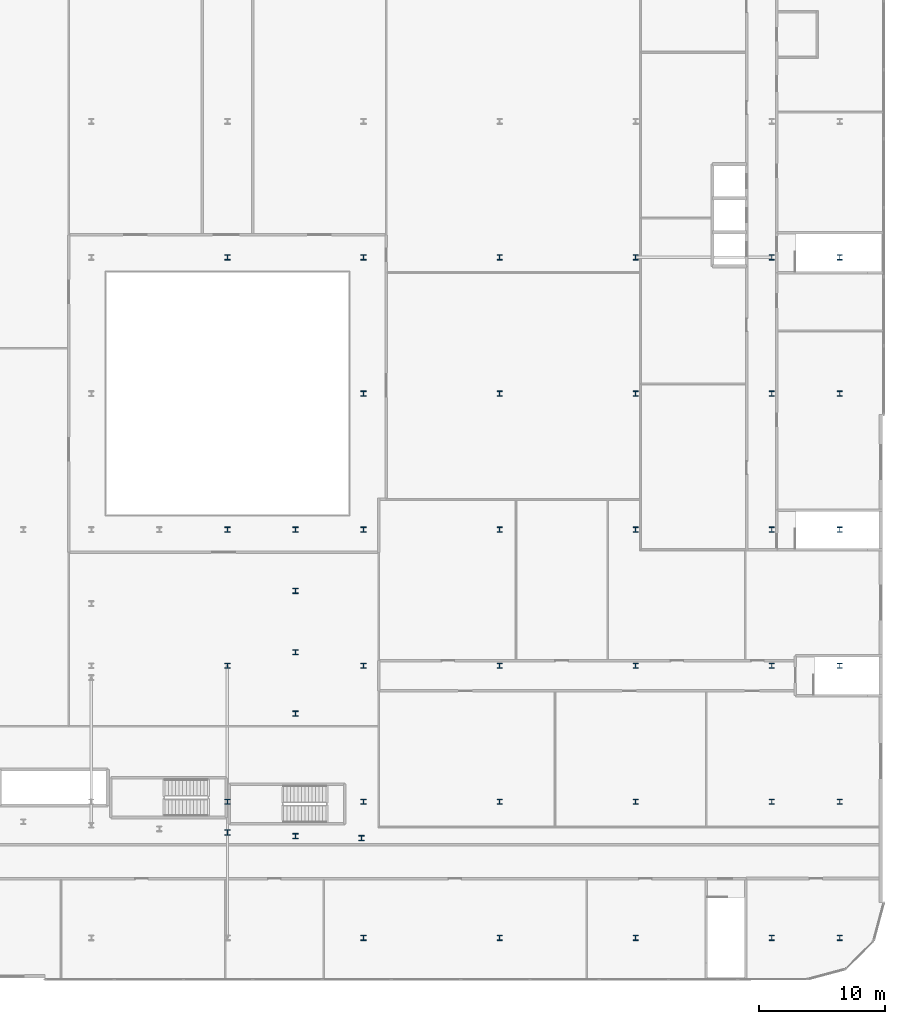
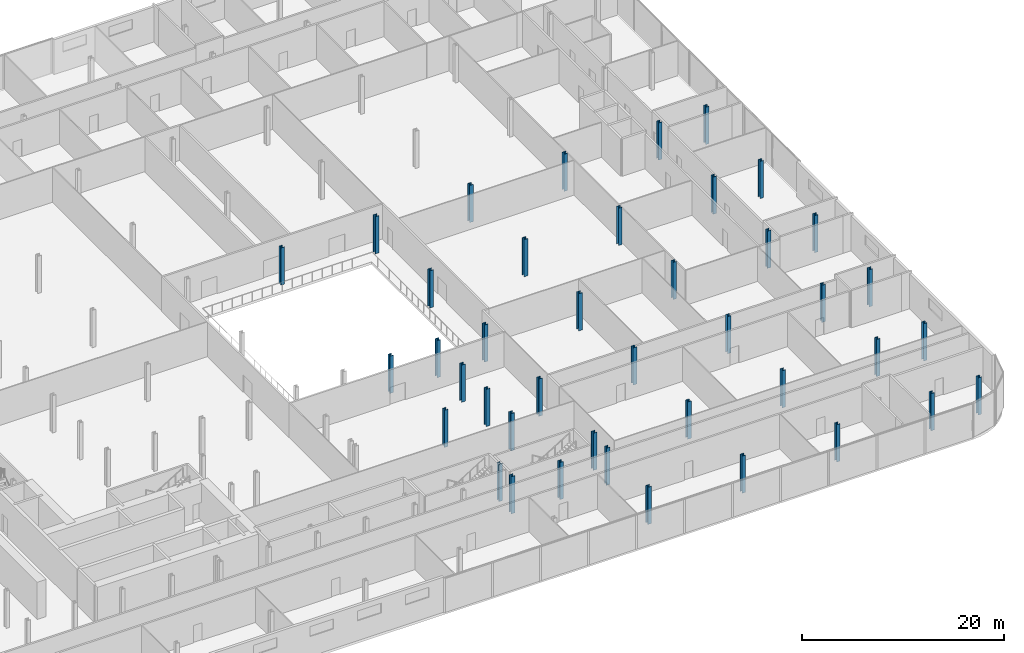
# One storey, part 3 of 43: 41 columns.
"""IFC4 building model written with IfcOpenShell, lengths in metres."""

from ifc_helpers import new_model, si_unit, direction, frame, origin, origin_2d, place, context, subcontext, project, spatial, i_section, extrude, material, material_profile, profile_set, type_object, element, save


model = new_model("IFC4")

# Units and contexts
model_context = context("Model", 3, precision=1e-05, world=origin(), true_north=direction((0.0, 1.0)))
body_context = subcontext(model_context, "Body", "Model", "MODEL_VIEW")
ifc_project = project(units=[si_unit("LENGTHUNIT", "METRE"), si_unit("AREAUNIT", "SQUARE_METRE"), si_unit("VOLUMEUNIT", "CUBIC_METRE"), si_unit("PLANEANGLEUNIT", "RADIAN"), si_unit("MASSUNIT", "GRAM", prefix="KILO")], contexts=[model_context])

# Site, building, storey
site_placement = place(None, origin())
site = spatial("IfcSite", under=ifc_project, at=site_placement, CompositionType="ELEMENT")
building_placement = place(site_placement, origin())
building = spatial("IfcBuilding", under=site, at=building_placement, Name="Kheshtan School and Residences Tower", CompositionType="ELEMENT")
storey_placement = place(building_placement, frame((0.0, 0.0, 26.0)))
storey = spatial("IfcBuildingStorey", under=building, at=storey_placement, Name="L05", CompositionType="ELEMENT", Elevation=26.0)

# Columns
ifc_material = material(Name="Steel ASTM A992 Grade 50", Category="steel")
ifc_material_profile = material_profile(ifc_material, i_section(OverallWidth=0.408935546875, OverallDepth=0.425048828125, WebThickness=0.03271484375, FlangeThickness=0.052490234375, FilletRadius=0.0126953125, at=origin_2d()), Name="W360x421")
ifc_profile_set = profile_set([ifc_material_profile], Name="Steel ASTM A992 Grade 50")
column_type = type_object("IfcColumnType", Name="Column PC2 W360x421 ASTM A992 Grade 50", PredefinedType="COLUMN", material=ifc_profile_set)
for number, where, z_axis, x_axis, name in (
    (1, (90.800048828125, 13.199951171875, 0.0), (0.0, 0.0, 1.0), (1.0, 0.0, 0.0), "Column P-008"),
    (2, (101.60009765625, 13.199951171875, 0.0), (0.0, 0.0, 1.0), (1.0, 0.0, 0.0), "Column P-009"),
    (3, (112.39990234375, 13.199951171875, 0.0), (0.0, 0.0, 1.0), (1.0, 0.0, 0.0), "Column P-010"),
    (4, (123.199951171875, 13.199951171875, 0.0), (0.0, 0.0, 1.0), (1.0, 0.0, 0.0), "Column P-011"),
    (5, (128.60009765625, 13.199951171875, 0.0), (0.0, 0.0, 1.0), (1.0, 0.0, 0.0), "Column P-012"),
    (6, (80.0, 24.0, 0.0), (0.0, 0.0, 1.0), (1.0, 0.0, 0.0), "Column P-019"),
    (7, (90.800048828125, 24.0, 0.0), (0.0, 0.0, 1.0), (1.0, 0.0, 0.0), "Column P-020"),
    (8, (101.60009765625, 24.0, 0.0), (0.0, 0.0, 1.0), (1.0, 0.0, 0.0), "Column P-021"),
    (9, (112.39990234375, 24.0, 0.0), (0.0, 0.0, 1.0), (1.0, 0.0, 0.0), "Column P-022"),
    (10, (123.199951171875, 24.0, 0.0), (0.0, 0.0, 1.0), (1.0, 0.0, 0.0), "Column P-023"),
    (11, (128.60009765625, 24.0, 0.0), (0.0, 0.0, 1.0), (1.0, 0.0, 0.0), "Column P-024"),
    (12, (80.0, 34.800048828125, 0.0), (0.0, 0.0, 1.0), (1.0, 0.0, 0.0), "Column P-031"),
    (13, (90.800048828125, 34.800048828125, 0.0), (0.0, 0.0, 1.0), (1.0, 0.0, 0.0), "Column P-032"),
    (14, (101.60009765625, 34.800048828125, 0.0), (0.0, 0.0, 1.0), (1.0, 0.0, 0.0), "Column P-033"),
    (15, (112.39990234375, 34.800048828125, 0.0), (0.0, 0.0, 1.0), (1.0, 0.0, 0.0), "Column P-034"),
    (16, (123.199951171875, 34.800048828125, 0.0), (0.0, 0.0, 1.0), (1.0, 0.0, 0.0), "Column P-035"),
    (17, (128.60009765625, 34.800048828125, 0.0), (0.0, 0.0, 1.0), (1.0, 0.0, 0.0), "Column P-036"),
    (18, (80.0, 45.60009765625, 0.0), (0.0, 0.0, 1.0), (1.0, 0.0, 0.0), "Column P-043"),
    (19, (90.800048828125, 45.60009765625, 0.0), (0.0, 0.0, 1.0), (1.0, 0.0, 0.0), "Column P-044"),
    (20, (101.60009765625, 45.60009765625, 0.0), (0.0, 0.0, 1.0), (1.0, 0.0, 0.0), "Column P-045"),
    (21, (112.39990234375, 45.60009765625, 0.0), (0.0, 0.0, 1.0), (1.0, 0.0, 0.0), "Column P-046"),
    (22, (123.199951171875, 45.60009765625, 0.0), (0.0, 0.0, 1.0), (1.0, 0.0, 0.0), "Column P-047"),
    (23, (128.60009765625, 45.60009765625, 0.0), (0.0, 0.0, 1.0), (1.0, 0.0, 0.0), "Column P-048"),
    (24, (90.800048828125, 56.39990234375, 0.0), (0.0, 0.0, 1.0), (1.0, 0.0, 0.0), "Column P-056"),
    (25, (101.60009765625, 56.39990234375, 0.0), (0.0, 0.0, 1.0), (1.0, 0.0, 0.0), "Column P-057"),
    (26, (112.39990234375, 56.39990234375, 0.0), (0.0, 0.0, 1.0), (1.0, 0.0, 0.0), "Column P-058"),
    (27, (123.199951171875, 56.39990234375, 0.0), (0.0, 0.0, 1.0), (1.0, 0.0, 0.0), "Column P-059"),
    (28, (128.60009765625, 56.39990234375, 0.0), (0.0, 0.0, 1.0), (1.0, 0.0, 0.0), "Column P-060"),
    (29, (80.0, 67.199951171875, 0.0), (0.0, 0.0, 1.0), (1.0, 0.0, 0.0), "Column P-067"),
    (30, (90.800048828125, 67.199951171875, 0.0), (0.0, 0.0, 1.0), (1.0, 0.0, 0.0), "Column P-068"),
    (31, (101.60009765625, 67.199951171875, 0.0), (0.0, 0.0, 1.0), (1.0, 0.0, 0.0), "Column P-069"),
    (32, (112.39990234375, 67.199951171875, 0.0), (0.0, 0.0, 1.0), (1.0, 0.0, 0.0), "Column P-070"),
    (33, (123.199951171875, 67.199951171875, 0.0), (0.0, 0.0, 1.0), (1.0, 0.0, 0.0), "Column P-071"),
    (34, (128.60009765625, 67.199951171875, 0.0), (0.0, 0.0, 1.0), (1.0, 0.0, 0.0), "Column P-072"),
    (35, (90.639892578125, 21.110107421875, 0.0), (0.0, 0.0, 1.0), (1.0, 0.0, 0.0), "Transfer column X01"),
    (36, (85.39990234375, 21.27001953125, 0.0), (0.0, 0.0, 1.0), (1.0, 0.0, 0.0), "Transfer column X02"),
    (37, (80.0, 21.56005859375, 0.0), (0.0, 0.0, 1.0), (1.0, 0.0, 0.0), "Transfer column X03"),
    (38, (85.39990234375, 45.60009765625, 0.0), (0.0, 0.0, 1.0), (1.0, 0.0, 0.0), "Transfer column X19"),
    (39, (85.39990234375, 31.0, 0.0), (0.0, 0.0, 1.0), (1.0, 0.0, 0.0), "Transfer column X35"),
    (40, (85.39990234375, 35.8701171875, 0.0), (0.0, 0.0, 1.0), (1.0, 0.0, 0.0), "Transfer column X38"),
    (41, (85.39990234375, 40.72998046875, 0.0), (0.0, 0.0, 1.0), (1.0, 0.0, 0.0), "Transfer column X41"),
):
    element("IfcColumn", number, at=place(storey_placement, frame(where, z_axis=z_axis, x_axis=x_axis)), inside=storey, type_object=column_type, Name=name, PredefinedType="COLUMN", context=body_context, shape_type="SweptSolid", body=[
        extrude(i_section(OverallWidth=0.408935546875, OverallDepth=0.425048828125, WebThickness=0.03271484375, FlangeThickness=0.052490234375, FilletRadius=0.0126953125, at=origin_2d()), origin(), (0.0, 0.0, 1.0), 4.5),
    ])

save(model, "model.ifc")
